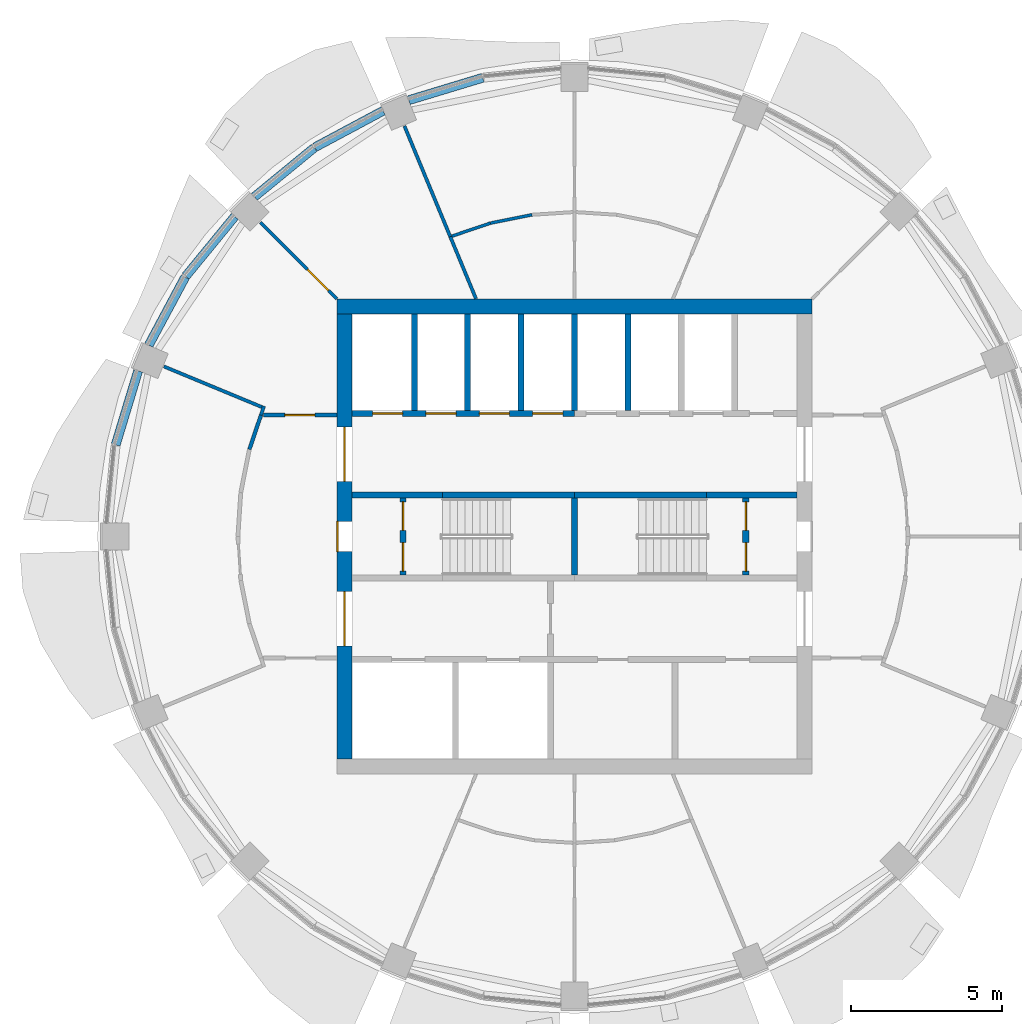
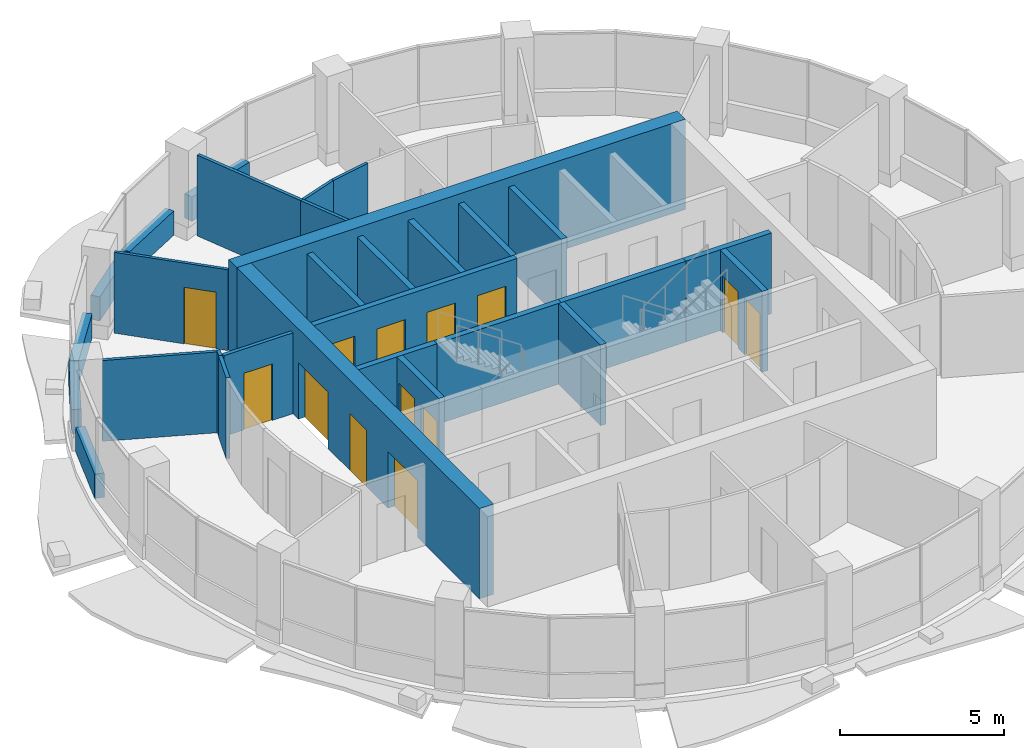
# One storey, part 8 of 14: 30 walls, 13 doors, 13 openings.
"""IFC4 building model written with IfcOpenShell, lengths in metres."""

from ifc_helpers import new_model, si_unit, direction, frame, frame_2d, origin, place, context, subcontext, project, spatial, rectangle, extrude, material, layer, layer_set, type_object, element, fill, save


model = new_model("IFC4")

# Units and contexts
model_context = context("Model", 3, precision=1e-05, world=origin(), true_north=direction((0.0, 1.0)))
body_context = subcontext(model_context, "Body", "Model", "MODEL_VIEW")
ifc_project = project(units=[si_unit("LENGTHUNIT", "METRE"), si_unit("AREAUNIT", "SQUARE_METRE"), si_unit("VOLUMEUNIT", "CUBIC_METRE"), si_unit("PLANEANGLEUNIT", "RADIAN"), si_unit("MASSUNIT", "GRAM", prefix="KILO")], contexts=[model_context])

# Site, building, storey
site_placement = place(None, origin())
site = spatial("IfcSite", under=ifc_project, at=site_placement, CompositionType="ELEMENT")
building_placement = place(site_placement, origin())
building = spatial("IfcBuilding", under=site, at=building_placement, Name="Polderwave Tower", CompositionType="ELEMENT")
storey_placement = place(building_placement, frame((0.0, 0.0, 217.800048828125)))
storey = spatial("IfcBuildingStorey", under=building, at=storey_placement, Name="L59", CompositionType="ELEMENT", Elevation=217.800048828125)

# Wall
ifc_material_1 = material(Name="Concrete C60/75", Category="concrete")
ifc_layer_1 = layer(ifc_material_1, 0.5)
ifc_layer_set_1 = layer_set([ifc_layer_1], Name="CORE WALL 500 C60/75")
wall_type_1 = type_object("IfcWallType", Name="CORE WALL 500 C60/75", PredefinedType="SHEAR", material=ifc_layer_set_1)
wall_1_placement = place(storey_placement, frame((-7.8740234375, 7.6240234375, 0.0), z_axis=(0.0, 0.0, 1.0), x_axis=(1.0, 0.0, 0.0)))
element("IfcWall", 1, at=wall_1_placement, inside=storey, type_object=wall_type_1, Name="ST-CORE-L59-N", PredefinedType="SHEAR", context=body_context, shape_type="SweptSolid", body=[
    extrude(rectangle(XDim=15.748046875, YDim=0.5, at=frame_2d((7.8740234375, 0.0))), origin(), (0.0, 0.0, 1.0), 3.349853515625),
])

# Wall, openings, doors
wall_2_placement = place(storey_placement, frame((-7.6240234375, -7.3740234375, 0.0), z_axis=(0.0, 0.0, 1.0), x_axis=(0.0, 1.0, 0.0)))
wall_2 = element("IfcWall", 2, at=wall_2_placement, inside=storey, type_object=wall_type_1, Name="ST-CORE-L59-W", PredefinedType="SHEAR", context=body_context, shape_type="SweptSolid", body=[
    extrude(rectangle(XDim=14.748046875, YDim=0.5, at=frame_2d((7.3740234375, 0.0))), origin(), (0.0, 0.0, 1.0), 3.349853515625),
])
opening_1_placement = place(wall_2_placement, frame((6.8740234375, 0.0, 0.0)))
opening_1 = element("IfcOpeningElement", 3, at=opening_1_placement, cuts=wall_2, Name="Opening L59-D18", PredefinedType="OPENING", context=body_context, shape_type="SweptSolid", body=[
    extrude(rectangle(XDim=1.0, YDim=2.10009765625, at=frame_2d((0.5, 1.050048828125))), frame((0.0, 0.260009765625, 0.0), z_axis=(0.0, -1.0, 0.0), x_axis=(1.0, 0.0, 0.0)), (0.0, 0.0, 1.0), 0.52001953125),
])
opening_2_placement = place(wall_2_placement, frame((3.74951171875, 0.0, 0.0)))
opening_2 = element("IfcOpeningElement", 4, at=opening_2_placement, cuts=wall_2, Name="Opening L59-D19", PredefinedType="OPENING", context=body_context, shape_type="SweptSolid", body=[
    extrude(rectangle(XDim=1.800048828125, YDim=2.10009765625, at=frame_2d((0.89990234375, 1.050048828125))), frame((0.0, 0.260009765625, 0.0), z_axis=(0.0, -1.0, 0.0), x_axis=(1.0, 0.0, 0.0)), (0.0, 0.0, 1.0), 0.52001953125),
])
opening_3_placement = place(wall_2_placement, frame((9.198486328125, 0.0, 0.0)))
opening_3 = element("IfcOpeningElement", 5, at=opening_3_placement, cuts=wall_2, Name="Opening L59-D20", PredefinedType="OPENING", context=body_context, shape_type="SweptSolid", body=[
    extrude(rectangle(XDim=1.800048828125, YDim=2.10009765625, at=frame_2d((0.89990234375, 1.050048828125))), frame((0.0, 0.260009765625, 0.0), z_axis=(0.0, -1.0, 0.0), x_axis=(1.0, 0.0, 0.0)), (0.0, 0.0, 1.0), 0.52001953125),
])
ifc_material_2 = material(Name="Steel fire door", Category="steel")
door_type_1 = type_object("IfcDoorType", Name="Lobby entry door pair 1800", OperationType="DOUBLE_DOOR_SINGLE_SWING", PredefinedType="DOOR", material=ifc_material_2)
door_1_placement = place(opening_2_placement, origin())
door_1 = element("IfcDoor", 6, at=door_1_placement, inside=storey, type_object=door_type_1, Name="Fire-fighting lobby entry door", OperationType="DOUBLE_DOOR_SINGLE_SWING", OverallHeight=2.10009765625, OverallWidth=1.800048828125, PredefinedType="DOOR", context=body_context, shape_type="SweptSolid", body=[
    extrude(rectangle(XDim=1.800048828125, YDim=2.10009765625, at=frame_2d((0.89990234375, 1.050048828125))), frame((0.0, 0.02490234375, 0.0), z_axis=(0.0, -1.0, 0.0), x_axis=(1.0, 0.0, 0.0)), (0.0, 0.0, 1.0), 0.050048828125),
])
fill(opening_2, door_1)
door_2_placement = place(opening_3_placement, origin())
door_2 = element("IfcDoor", 7, at=door_2_placement, inside=storey, type_object=door_type_1, Name="North lobby entry door", OperationType="DOUBLE_DOOR_SINGLE_SWING", OverallHeight=2.10009765625, OverallWidth=1.800048828125, PredefinedType="DOOR", context=body_context, shape_type="SweptSolid", body=[
    extrude(rectangle(XDim=1.800048828125, YDim=2.10009765625, at=frame_2d((0.89990234375, 1.050048828125))), frame((0.0, 0.02490234375, 0.0), z_axis=(0.0, -1.0, 0.0), x_axis=(1.0, 0.0, 0.0)), (0.0, 0.0, 1.0), 0.050048828125),
])
fill(opening_3, door_2)
door_type_2 = type_object("IfcDoorType", Name="Stair door 1000", OperationType="NOTDEFINED", PredefinedType="DOOR", material=ifc_material_2)
door_3_placement = place(opening_1_placement, origin())
door_3 = element("IfcDoor", 8, at=door_3_placement, inside=storey, type_object=door_type_2, Name="Stair A entry door", OperationType="SINGLE_SWING_RIGHT", OverallHeight=2.10009765625, OverallWidth=1.0, PredefinedType="DOOR", context=body_context, shape_type="SweptSolid", body=[
    extrude(rectangle(XDim=1.0, YDim=2.10009765625, at=frame_2d((0.5, 1.050048828125))), frame((0.0, 0.25, 0.0), z_axis=(0.0, -1.0, 0.0), x_axis=(1.0, 0.0, 0.0)), (0.0, 0.0, 1.0), 0.050048828125),
])
fill(opening_1, door_3)

# Walls
ifc_material_3 = material(Name="Concrete C50/60 (board-marked)", Category="concrete")
ifc_layer_2 = layer(ifc_material_3, 0.300048828125)
ifc_layer_set_2 = layer_set([ifc_layer_2], Name="Concrete spandrel upstand C50/60")
wall_type_2 = type_object("IfcWallType", Name="Concrete spandrel upstand C50/60", PredefinedType="SOLIDWALL", material=ifc_layer_set_2)
wall_3_placement = place(storey_placement, frame((-3.038330078125, 15.197509765625, 0.0), z_axis=(0.0, 0.0, 1.0), x_axis=(-0.956960147557, -0.290219358397, 0.0)))
element("IfcWall", 9, at=wall_3_placement, inside=storey, type_object=wall_type_2, Name="Spandrel L59 5b", PredefinedType="SOLIDWALL", context=body_context, shape_type="SweptSolid", body=[
    extrude(rectangle(XDim=2.557373046875, YDim=0.300048828125, at=frame_2d((1.27880859375, 0.0))), origin(), (0.0, 0.0, 1.0), 0.89990234375),
])
wall_4_placement = place(storey_placement, frame((-6.34326171875, 14.099853515625, 0.0), z_axis=(0.0, 0.0, 1.0), x_axis=(-0.881810499649, -0.471603904468, 0.0)))
element("IfcWall", 10, at=wall_4_placement, inside=storey, type_object=wall_type_2, Name="Spandrel L59 6a", PredefinedType="SOLIDWALL", context=body_context, shape_type="SweptSolid", body=[
    extrude(rectangle(XDim=2.556884765625, YDim=0.300048828125, at=frame_2d((1.2783203125, 0.0))), origin(), (0.0, 0.0, 1.0), 0.89990234375),
])
for number, where, z_axis, x_axis, name in (
    (11, (-8.62255859375, 12.87744140625, 0.0), (0.0, 0.0, 1.0), (-0.773259366149, -0.634089861662, 0.0), "Spandrel L59 6b"),
    (12, (-11.255615234375, 10.600341796875, 0.0), (0.0, 0.0, 1.0), (-0.634089861662, -0.773259366149, 0.0), "Spandrel L59 7a"),
):
    element("IfcWall", number, at=place(storey_placement, frame(where, z_axis=z_axis, x_axis=x_axis)), inside=storey, type_object=wall_type_2, Name=name, PredefinedType="SOLIDWALL", context=body_context, shape_type="SweptSolid", body=[
        extrude(rectangle(XDim=2.5576171875, YDim=0.300048828125, at=frame_2d((1.27880859375, 0.0))), origin(), (0.0, 0.0, 1.0), 0.89990234375),
    ])
wall_5_placement = place(storey_placement, frame((-12.89404296875, 8.597900390625, 0.0), z_axis=(0.0, 0.0, 1.0), x_axis=(-0.471603904468, -0.881810499649, 0.0)))
element("IfcWall", 13, at=wall_5_placement, inside=storey, type_object=wall_type_2, Name="Spandrel L59 7b", PredefinedType="SOLIDWALL", context=body_context, shape_type="SweptSolid", body=[
    extrude(rectangle(XDim=2.556884765625, YDim=0.300048828125, at=frame_2d((1.2783203125, 0.0))), origin(), (0.0, 0.0, 1.0), 0.89990234375),
])
wall_6_placement = place(storey_placement, frame((-14.455322265625, 5.485595703125, 0.0), z_axis=(0.0, 0.0, 1.0), x_axis=(-0.290219358397, -0.956960147557, 0.0)))
element("IfcWall", 14, at=wall_6_placement, inside=storey, type_object=wall_type_2, Name="Spandrel L59 8a", PredefinedType="SOLIDWALL", context=body_context, shape_type="SweptSolid", body=[
    extrude(rectangle(XDim=2.557373046875, YDim=0.300048828125, at=frame_2d((1.27880859375, 0.0))), origin(), (0.0, 0.0, 1.0), 0.89990234375),
])

# Wall, openings, doors
ifc_material_4 = material(Name="Gypsum board partition")
ifc_layer_3 = layer(ifc_material_4, 0.199951171875)
ifc_layer_set_3 = layer_set([ifc_layer_3], Name="Core room partition 200")
wall_type_3 = type_object("IfcWallType", Name="Core room partition 200", PredefinedType="PARTITIONING", material=ifc_layer_set_3)
wall_7_placement = place(storey_placement, frame((-5.674072265625, -1.27490234375, 0.0), z_axis=(0.0, 0.0, 1.0), x_axis=(0.0, 1.0, 0.0)))
wall_7 = element("IfcWall", 15, at=wall_7_placement, inside=storey, type_object=wall_type_3, Name="L59 smoke lobby wall A", PredefinedType="PARTITIONING", context=body_context, shape_type="SweptSolid", body=[
    extrude(rectangle(XDim=2.5498046875, YDim=0.199951171875, at=frame_2d((1.27490234375, 0.0))), origin(), (0.0, 0.0, 1.0), 3.0),
])
opening_4_placement = place(wall_7_placement, frame((0.125, 0.0, 0.0)))
opening_4 = element("IfcOpeningElement", 16, at=opening_4_placement, cuts=wall_7, Name="Opening L59-D10", PredefinedType="OPENING", context=body_context, shape_type="SweptSolid", body=[
    extrude(rectangle(XDim=0.949951171875, YDim=2.10009765625, at=frame_2d((0.47509765625, 1.050048828125))), frame((0.0, 0.10986328125, 0.0), z_axis=(0.0, -1.0, 0.0), x_axis=(1.0, 0.0, 0.0)), (0.0, 0.0, 1.0), 0.219970703125),
])
opening_5_placement = place(wall_7_placement, frame((1.47509765625, 0.0, 0.0)))
opening_5 = element("IfcOpeningElement", 17, at=opening_5_placement, cuts=wall_7, Name="Opening L59-D11", PredefinedType="OPENING", context=body_context, shape_type="SweptSolid", body=[
    extrude(rectangle(XDim=0.949951171875, YDim=2.10009765625, at=frame_2d((0.47509765625, 1.050048828125))), frame((0.0, 0.10986328125, 0.0), z_axis=(0.0, -1.0, 0.0), x_axis=(1.0, 0.0, 0.0)), (0.0, 0.0, 1.0), 0.219970703125),
])
door_type_3 = type_object("IfcDoorType", Name="Smoke lobby door 950", OperationType="NOTDEFINED", PredefinedType="DOOR", material=ifc_material_2)
door_4_placement = place(opening_4_placement, origin())
door_4 = element("IfcDoor", 18, at=door_4_placement, inside=storey, type_object=door_type_3, Name="Stair A smoke lobby inner door", OperationType="SINGLE_SWING_LEFT", OverallHeight=2.10009765625, OverallWidth=0.949951171875, PredefinedType="DOOR", context=body_context, shape_type="SweptSolid", body=[
    extrude(rectangle(XDim=0.949951171875, YDim=2.10009765625, at=frame_2d((0.47509765625, 1.050048828125))), frame((0.0, 0.02490234375, 0.0), z_axis=(0.0, -1.0, 0.0), x_axis=(1.0, 0.0, 0.0)), (0.0, 0.0, 1.0), 0.050048828125),
])
fill(opening_4, door_4)
door_5_placement = place(opening_5_placement, origin())
door_5 = element("IfcDoor", 19, at=door_5_placement, inside=storey, type_object=door_type_3, Name="Stair A smoke lobby inner door", OperationType="SINGLE_SWING_RIGHT", OverallHeight=2.10009765625, OverallWidth=0.949951171875, PredefinedType="DOOR", context=body_context, shape_type="SweptSolid", body=[
    extrude(rectangle(XDim=0.949951171875, YDim=2.10009765625, at=frame_2d((0.47509765625, 1.050048828125))), frame((0.0, 0.02490234375, 0.0), z_axis=(0.0, -1.0, 0.0), x_axis=(1.0, 0.0, 0.0)), (0.0, 0.0, 1.0), 0.050048828125),
])
fill(opening_5, door_5)

wall_8_placement = place(storey_placement, frame((5.674072265625, -1.27490234375, 0.0), z_axis=(0.0, 0.0, 1.0), x_axis=(0.0, 1.0, 0.0)))
wall_8 = element("IfcWall", 20, at=wall_8_placement, inside=storey, type_object=wall_type_3, Name="L59 smoke lobby wall B", PredefinedType="PARTITIONING", context=body_context, shape_type="SweptSolid", body=[
    extrude(rectangle(XDim=2.5498046875, YDim=0.199951171875, at=frame_2d((1.27490234375, 0.0))), origin(), (0.0, 0.0, 1.0), 3.0),
])
opening_6_placement = place(wall_8_placement, frame((0.125, 0.0, 0.0)))
opening_6 = element("IfcOpeningElement", 21, at=opening_6_placement, cuts=wall_8, Name="Opening L59-D12", PredefinedType="OPENING", context=body_context, shape_type="SweptSolid", body=[
    extrude(rectangle(XDim=0.949951171875, YDim=2.10009765625, at=frame_2d((0.47509765625, 1.050048828125))), frame((0.0, 0.10986328125, 0.0), z_axis=(0.0, -1.0, 0.0), x_axis=(1.0, 0.0, 0.0)), (0.0, 0.0, 1.0), 0.219970703125),
])
opening_7_placement = place(wall_8_placement, frame((1.47509765625, 0.0, 0.0)))
opening_7 = element("IfcOpeningElement", 22, at=opening_7_placement, cuts=wall_8, Name="Opening L59-D13", PredefinedType="OPENING", context=body_context, shape_type="SweptSolid", body=[
    extrude(rectangle(XDim=0.949951171875, YDim=2.10009765625, at=frame_2d((0.47509765625, 1.050048828125))), frame((0.0, 0.10986328125, 0.0), z_axis=(0.0, -1.0, 0.0), x_axis=(1.0, 0.0, 0.0)), (0.0, 0.0, 1.0), 0.219970703125),
])
door_6_placement = place(opening_6_placement, frame((0.949951171875, 0.0, 0.0), z_axis=(0.0, 0.0, 1.0), x_axis=(-1.0, 0.0, 0.0)))
door_6 = element("IfcDoor", 23, at=door_6_placement, inside=storey, type_object=door_type_3, Name="Stair B smoke lobby inner door", OperationType="SINGLE_SWING_RIGHT", OverallHeight=2.10009765625, OverallWidth=0.949951171875, PredefinedType="DOOR", context=body_context, shape_type="SweptSolid", body=[
    extrude(rectangle(XDim=0.949951171875, YDim=2.10009765625, at=frame_2d((0.47509765625, 1.050048828125))), frame((0.0, 0.02490234375, 0.0), z_axis=(0.0, -1.0, 0.0), x_axis=(1.0, 0.0, 0.0)), (0.0, 0.0, 1.0), 0.050048828125),
])
fill(opening_6, door_6)
door_7_placement = place(opening_7_placement, frame((0.949951171875, 0.0, 0.0), z_axis=(0.0, 0.0, 1.0), x_axis=(-1.0, 0.0, 0.0)))
door_7 = element("IfcDoor", 24, at=door_7_placement, inside=storey, type_object=door_type_3, Name="Stair B smoke lobby inner door", OperationType="SINGLE_SWING_LEFT", OverallHeight=2.10009765625, OverallWidth=0.949951171875, PredefinedType="DOOR", context=body_context, shape_type="SweptSolid", body=[
    extrude(rectangle(XDim=0.949951171875, YDim=2.10009765625, at=frame_2d((0.47509765625, 1.050048828125))), frame((0.0, 0.02490234375, 0.0), z_axis=(0.0, -1.0, 0.0), x_axis=(1.0, 0.0, 0.0)), (0.0, 0.0, 1.0), 0.050048828125),
])
fill(opening_7, door_7)

ifc_material_5 = material(Name="Concrete C50/60", Category="concrete")
ifc_layer_4 = layer(ifc_material_5, 0.199951171875)
ifc_layer_set_4 = layer_set([ifc_layer_4], Name="Core web wall 200")
wall_type_4 = type_object("IfcWallType", Name="Core web wall 200", PredefinedType="SHEAR", material=ifc_layer_set_4)
wall_9_placement = place(storey_placement, frame((-7.3740234375, 4.073974609375, 0.0), z_axis=(0.0, 0.0, 1.0), x_axis=(1.0, 0.0, 0.0)))
wall_9 = element("IfcWall", 25, at=wall_9_placement, inside=storey, type_object=wall_type_4, Name="L59 north front wall 1", PredefinedType="SHEAR", context=body_context, shape_type="SweptSolid", body=[
    extrude(rectangle(XDim=7.3740234375, YDim=0.199951171875, at=frame_2d((3.68701171875, 0.0))), origin(), (0.0, 0.0, 1.0), 3.0),
])
opening_8_placement = place(wall_9_placement, frame((0.68408203125, 0.0, 0.0)))
opening_8 = element("IfcOpeningElement", 26, at=opening_8_placement, cuts=wall_9, Name="Opening L59-D03", PredefinedType="OPENING", context=body_context, shape_type="SweptSolid", body=[
    extrude(rectangle(XDim=1.0, YDim=2.10009765625, at=frame_2d((0.5, 1.050048828125))), frame((0.0, 0.10986328125, 0.0), z_axis=(0.0, -1.0, 0.0), x_axis=(1.0, 0.0, 0.0)), (0.0, 0.0, 1.0), 0.219970703125),
])
opening_9_placement = place(wall_9_placement, frame((2.45263671875, 0.0, 0.0)))
opening_9 = element("IfcOpeningElement", 27, at=opening_9_placement, cuts=wall_9, Name="Opening L59-D04", PredefinedType="OPENING", context=body_context, shape_type="SweptSolid", body=[
    extrude(rectangle(XDim=1.0, YDim=2.10009765625, at=frame_2d((0.5, 1.050048828125))), frame((0.0, 0.10986328125, 0.0), z_axis=(0.0, -1.0, 0.0), x_axis=(1.0, 0.0, 0.0)), (0.0, 0.0, 1.0), 0.219970703125),
])
opening_10_placement = place(wall_9_placement, frame((4.22119140625, 0.0, 0.0)))
opening_10 = element("IfcOpeningElement", 28, at=opening_10_placement, cuts=wall_9, Name="Opening L59-D05", PredefinedType="OPENING", context=body_context, shape_type="SweptSolid", body=[
    extrude(rectangle(XDim=1.0, YDim=2.10009765625, at=frame_2d((0.5, 1.050048828125))), frame((0.0, 0.10986328125, 0.0), z_axis=(0.0, -1.0, 0.0), x_axis=(1.0, 0.0, 0.0)), (0.0, 0.0, 1.0), 0.219970703125),
])
opening_11_placement = place(wall_9_placement, frame((5.98974609375, 0.0, 0.0)))
opening_11 = element("IfcOpeningElement", 29, at=opening_11_placement, cuts=wall_9, Name="Opening L59-D06", PredefinedType="OPENING", context=body_context, shape_type="SweptSolid", body=[
    extrude(rectangle(XDim=1.0, YDim=2.10009765625, at=frame_2d((0.5, 1.050048828125))), frame((0.0, 0.10986328125, 0.0), z_axis=(0.0, -1.0, 0.0), x_axis=(1.0, 0.0, 0.0)), (0.0, 0.0, 1.0), 0.219970703125),
])
ifc_material_6 = material(Name="Stainless steel", Category="steel")
door_type_4 = type_object("IfcDoorType", Name="Lift landing door 1000", OperationType="DOUBLE_DOOR_SLIDING", PredefinedType="DOOR", material=ifc_material_6)
door_8_placement = place(opening_8_placement, frame((1.0, 0.0, 0.0), z_axis=(0.0, 0.0, 1.0), x_axis=(-1.0, 0.0, 0.0)))
door_8 = element("IfcDoor", 30, at=door_8_placement, inside=storey, type_object=door_type_4, Name="Lift HL1 landing door", OperationType="DOUBLE_DOOR_SLIDING", OverallHeight=2.10009765625, OverallWidth=1.0, PredefinedType="DOOR", context=body_context, shape_type="SweptSolid", body=[
    extrude(rectangle(XDim=1.0, YDim=2.10009765625, at=frame_2d((0.5, 1.050048828125))), frame((0.0, 0.02490234375, 0.0), z_axis=(0.0, -1.0, 0.0), x_axis=(1.0, 0.0, 0.0)), (0.0, 0.0, 1.0), 0.050048828125),
])
fill(opening_8, door_8)
door_9_placement = place(opening_9_placement, frame((1.0, 0.0, 0.0), z_axis=(0.0, 0.0, 1.0), x_axis=(-1.0, 0.0, 0.0)))
door_9 = element("IfcDoor", 31, at=door_9_placement, inside=storey, type_object=door_type_4, Name="Lift HL2 landing door", OperationType="DOUBLE_DOOR_SLIDING", OverallHeight=2.10009765625, OverallWidth=1.0, PredefinedType="DOOR", context=body_context, shape_type="SweptSolid", body=[
    extrude(rectangle(XDim=1.0, YDim=2.10009765625, at=frame_2d((0.5, 1.050048828125))), frame((0.0, 0.02490234375, 0.0), z_axis=(0.0, -1.0, 0.0), x_axis=(1.0, 0.0, 0.0)), (0.0, 0.0, 1.0), 0.050048828125),
])
fill(opening_9, door_9)
door_10_placement = place(opening_10_placement, frame((1.0, 0.0, 0.0), z_axis=(0.0, 0.0, 1.0), x_axis=(-1.0, 0.0, 0.0)))
door_10 = element("IfcDoor", 32, at=door_10_placement, inside=storey, type_object=door_type_4, Name="Lift HL3 landing door", OperationType="DOUBLE_DOOR_SLIDING", OverallHeight=2.10009765625, OverallWidth=1.0, PredefinedType="DOOR", context=body_context, shape_type="SweptSolid", body=[
    extrude(rectangle(XDim=1.0, YDim=2.10009765625, at=frame_2d((0.5, 1.050048828125))), frame((0.0, 0.02490234375, 0.0), z_axis=(0.0, -1.0, 0.0), x_axis=(1.0, 0.0, 0.0)), (0.0, 0.0, 1.0), 0.050048828125),
])
fill(opening_10, door_10)
door_11_placement = place(opening_11_placement, frame((1.0, 0.0, 0.0), z_axis=(0.0, 0.0, 1.0), x_axis=(-1.0, 0.0, 0.0)))
door_11 = element("IfcDoor", 33, at=door_11_placement, inside=storey, type_object=door_type_4, Name="Lift HL4 landing door", OperationType="DOUBLE_DOOR_SLIDING", OverallHeight=2.10009765625, OverallWidth=1.0, PredefinedType="DOOR", context=body_context, shape_type="SweptSolid", body=[
    extrude(rectangle(XDim=1.0, YDim=2.10009765625, at=frame_2d((0.5, 1.050048828125))), frame((0.0, 0.02490234375, 0.0), z_axis=(0.0, -1.0, 0.0), x_axis=(1.0, 0.0, 0.0)), (0.0, 0.0, 1.0), 0.050048828125),
])
fill(opening_11, door_11)

# Walls
wall_10_placement = place(storey_placement, frame((-7.3740234375, 1.375, 0.0), z_axis=(0.0, 0.0, 1.0), x_axis=(1.0, 0.0, 0.0)))
element("IfcWall", 34, at=wall_10_placement, inside=storey, type_object=wall_type_4, Name="L59 north stair wall 1", PredefinedType="SHEAR", context=body_context, shape_type="SweptSolid", body=[
    extrude(rectangle(XDim=3.0, YDim=0.199951171875, at=frame_2d((1.5, 0.0))), origin(), (0.0, 0.0, 1.0), 3.0),
])
for number, where, z_axis, x_axis, name in (
    (35, (-4.3740234375, 1.375, 0.0), (0.0, 0.0, 1.0), (1.0, 0.0, 0.0), "L59 north stair wall 2"),
    (36, (0.0, 1.375, 0.0), (0.0, 0.0, 1.0), (1.0, 0.0, 0.0), "L59 north stair wall 3"),
):
    element("IfcWall", number, at=place(storey_placement, frame(where, z_axis=z_axis, x_axis=x_axis)), inside=storey, type_object=wall_type_4, Name=name, PredefinedType="SHEAR", context=body_context, shape_type="SweptSolid", body=[
        extrude(rectangle(XDim=4.3740234375, YDim=0.199951171875, at=frame_2d((2.18701171875, 0.0))), origin(), (0.0, 0.0, 1.0), 3.0),
    ])
wall_11_placement = place(storey_placement, frame((4.3740234375, 1.375, 0.0), z_axis=(0.0, 0.0, 1.0), x_axis=(1.0, 0.0, 0.0)))
element("IfcWall", 37, at=wall_11_placement, inside=storey, type_object=wall_type_4, Name="L59 north stair wall 4", PredefinedType="SHEAR", context=body_context, shape_type="SweptSolid", body=[
    extrude(rectangle(XDim=3.0, YDim=0.199951171875, at=frame_2d((1.5, 0.0))), origin(), (0.0, 0.0, 1.0), 3.0),
])
wall_12_placement = place(storey_placement, frame((0.0, -1.27490234375, 0.0), z_axis=(0.0, 0.0, 1.0), x_axis=(0.0, 1.0, 0.0)))
element("IfcWall", 38, at=wall_12_placement, inside=storey, type_object=wall_type_4, Name="L59 wall between the stairs", PredefinedType="SHEAR", context=body_context, shape_type="SweptSolid", body=[
    extrude(rectangle(XDim=2.5498046875, YDim=0.199951171875, at=frame_2d((1.27490234375, 0.0))), origin(), (0.0, 0.0, 1.0), 3.0),
])

# Wall, opening, door
ifc_material_7 = material(Name="Fire-resisting board on steel studs", Category="steel")
ifc_layer_5 = layer(ifc_material_7, 0.125)
ifc_layer_set_5 = layer_set([ifc_layer_5], Name="Corridor wall 125 mm EI 60")
wall_type_5 = type_object("IfcWallType", Name="Corridor wall 125 mm EI 60", PredefinedType="PARTITIONING", material=ifc_layer_set_5)
wall_13_placement = place(storey_placement, frame((-10.29638671875, 4.0244140625, 0.0), z_axis=(0.0, 0.0, 1.0), x_axis=(1.0, 0.0, 0.0)))
wall_13 = element("IfcWall", 39, at=wall_13_placement, inside=storey, type_object=wall_type_5, Name="IN-L59-W009", PredefinedType="PARTITIONING", context=body_context, shape_type="SweptSolid", body=[
    extrude(rectangle(XDim=2.42236328125, YDim=0.125, at=frame_2d((1.211181640625, 0.0))), origin(), (0.0, 0.0, 1.0), 3.0),
])
opening_12_placement = place(wall_13_placement, frame((0.699951171875, 0.0, 0.0)))
opening_12 = element("IfcOpeningElement", 40, at=opening_12_placement, cuts=wall_13, Name="Opening L59-D54", PredefinedType="OPENING", context=body_context, shape_type="SweptSolid", body=[
    extrude(rectangle(XDim=1.0, YDim=2.10009765625, at=frame_2d((0.5, 1.050048828125))), frame((0.0, 0.072509765625, 0.0), z_axis=(0.0, -1.0, 0.0), x_axis=(1.0, 0.0, 0.0)), (0.0, 0.0, 1.0), 0.14501953125),
])
ifc_material_8 = material(Name="Timber fire door leaf", Category="wood")
door_type_5 = type_object("IfcDoorType", Name="Fire door FD30S 1000 x 2100", OperationType="NOTDEFINED", PredefinedType="DOOR", material=ifc_material_8)
door_12_placement = place(opening_12_placement, origin())
door_12 = element("IfcDoor", 41, at=door_12_placement, inside=storey, type_object=door_type_5, Name="Door L59-D54", OperationType="SINGLE_SWING_LEFT", OverallHeight=2.10009765625, OverallWidth=1.0, PredefinedType="DOOR", context=body_context, shape_type="SweptSolid", body=[
    extrude(rectangle(XDim=1.0, YDim=2.10009765625, at=frame_2d((0.5, 1.050048828125))), frame((0.0, 0.02490234375, 0.0), z_axis=(0.0, -1.0, 0.0), x_axis=(1.0, 0.0, 0.0)), (0.0, 0.0, 1.0), 0.050048828125),
])
fill(opening_12, door_12)

# Walls
wall_14_placement = place(storey_placement, frame((-10.768798828125, 2.8896484375, 0.0), z_axis=(0.0, 0.0, 1.0), x_axis=(0.321479033524, 0.946916696972, 0.0)))
element("IfcWall", 42, at=wall_14_placement, inside=storey, type_object=wall_type_5, Name="IN-L59-W014", PredefinedType="PARTITIONING", context=body_context, shape_type="SweptSolid", body=[
    extrude(rectangle(XDim=1.198486328125, YDim=0.125, at=frame_2d((0.59912109375, 0.0))), origin(), (0.0, 0.0, 1.0), 3.0),
])
ifc_material_9 = material(Name="Plasterboard on steel studs", Category="steel")
ifc_layer_6 = layer(ifc_material_9, 0.10009765625)
ifc_layer_set_6 = layer_set([ifc_layer_6], Name="Partition 100 mm plasterboard on steel studs")
wall_type_6 = type_object("IfcWallType", Name="Partition 100 mm plasterboard on steel studs", PredefinedType="PARTITIONING", material=ifc_layer_set_6)
wall_15_placement = place(storey_placement, frame((-4.05859375, 9.950439453125, 0.0), z_axis=(0.0, 0.0, 1.0), x_axis=(0.946944164887, 0.321398115407, 0.0)))
element("IfcWall", 43, at=wall_15_placement, inside=storey, type_object=wall_type_6, Name="IN-L59-W028", PredefinedType="PARTITIONING", context=body_context, shape_type="SweptSolid", body=[
    extrude(rectangle(XDim=1.344482421875, YDim=0.10009765625, at=frame_2d((0.67236328125, 0.0))), origin(), (0.0, 0.0, 1.0), 3.0),
])
wall_16_placement = place(storey_placement, frame((-2.779052734375, 10.38427734375, 0.0), z_axis=(0.0, 0.0, 1.0), x_axis=(0.980761417594, 0.19521025014, 0.0)))
element("IfcWall", 44, at=wall_16_placement, inside=storey, type_object=wall_type_6, Name="IN-L59-W029", PredefinedType="PARTITIONING", context=body_context, shape_type="SweptSolid", body=[
    extrude(rectangle(XDim=1.3994140625, YDim=0.10009765625, at=frame_2d((0.69970703125, 0.0))), origin(), (0.0, 0.0, 1.0), 3.0),
])

# Wall, opening, door
wall_17_placement = place(storey_placement, frame((-10.40869140625, 10.40869140625, 0.0), z_axis=(0.0, 0.0, 1.0), x_axis=(0.707106781187, -0.707106781187, 0.0)))
wall_17 = element("IfcWall", 45, at=wall_17_placement, inside=storey, type_object=wall_type_6, Name="IN-L59-W033", PredefinedType="PARTITIONING", context=body_context, shape_type="SweptSolid", body=[
    extrude(rectangle(XDim=3.58447265625, YDim=0.10009765625, at=frame_2d((1.792236328125, 0.0))), origin(), (0.0, 0.0, 1.0), 3.0),
])
opening_13_placement = place(wall_17_placement, frame((2.199951171875, 0.0, 0.0)))
opening_13 = element("IfcOpeningElement", 46, at=opening_13_placement, cuts=wall_17, Name="Opening L59-D62", PredefinedType="OPENING", context=body_context, shape_type="SweptSolid", body=[
    extrude(rectangle(XDim=1.0, YDim=2.10009765625, at=frame_2d((0.5, 1.050048828125))), frame((0.0, 0.06005859375, 0.0), z_axis=(0.0, -1.0, 0.0), x_axis=(1.0, 0.0, 0.0)), (0.0, 0.0, 1.0), 0.1201171875),
])
ifc_material_10 = material(Name="Timber veneer door leaf", Category="wood")
door_type_6 = type_object("IfcDoorType", Name="Single door 1000 x 2100", OperationType="NOTDEFINED", PredefinedType="DOOR", material=ifc_material_10)
door_13_placement = place(opening_13_placement, origin())
door_13 = element("IfcDoor", 47, at=door_13_placement, inside=storey, type_object=door_type_6, Name="Door L59-D62", OperationType="SINGLE_SWING_RIGHT", OverallHeight=2.10009765625, OverallWidth=1.0, PredefinedType="DOOR", context=body_context, shape_type="SweptSolid", body=[
    extrude(rectangle(XDim=1.0, YDim=2.10009765625, at=frame_2d((0.5, 1.050048828125))), frame((0.0, 0.02490234375, 0.0), z_axis=(0.0, -1.0, 0.0), x_axis=(1.0, 0.0, 0.0)), (0.0, 0.0, 1.0), 0.050048828125),
])
fill(opening_13, door_13)

# Walls
ifc_material_11 = material(Name="Acoustic double plasterboard on steel studs", Category="steel")
ifc_layer_7 = layer(ifc_material_11, 0.110107421875)
ifc_layer_set_7 = layer_set([ifc_layer_7], Name="Partition 110 mm acoustic double board")
wall_type_7 = type_object("IfcWallType", Name="Partition 110 mm acoustic double board", PredefinedType="PARTITIONING", material=ifc_layer_set_7)
wall_18_placement = place(storey_placement, frame((-3.261474609375, 7.8740234375, 0.0), z_axis=(0.0, 0.0, 1.0), x_axis=(-0.382684189911, 0.923879218725, 0.0)))
element("IfcWall", 48, at=wall_18_placement, inside=storey, type_object=wall_type_7, Name="IN-L59-W031", PredefinedType="PARTITIONING", context=body_context, shape_type="SweptSolid", body=[
    extrude(rectangle(XDim=2.22705078125, YDim=0.110107421875, at=frame_2d((1.113525390625, 0.0))), origin(), (0.0, 0.0, 1.0), 3.0),
])
wall_19_placement = place(storey_placement, frame((-4.11376953125, 9.931640625, 0.0), z_axis=(0.0, 0.0, 1.0), x_axis=(-0.382675844596, 0.923882675432, 0.0)))
element("IfcWall", 49, at=wall_19_placement, inside=storey, type_object=wall_type_7, Name="IN-L59-W032", PredefinedType="PARTITIONING", context=body_context, shape_type="SweptSolid", body=[
    extrude(rectangle(XDim=3.97021484375, YDim=0.110107421875, at=frame_2d((1.985107421875, 0.0))), origin(), (0.0, 0.0, 1.0), 3.0),
])
wall_20_placement = place(storey_placement, frame((-10.383544921875, 4.0244140625, 0.0), z_axis=(0.0, 0.0, 1.0), x_axis=(0.320931919594, 0.947102266382, 0.0)))
element("IfcWall", 50, at=wall_20_placement, inside=storey, type_object=wall_type_7, Name="IN-L59-W034", PredefinedType="PARTITIONING", context=body_context, shape_type="SweptSolid", body=[
    extrude(rectangle(XDim=0.31103515625, YDim=0.110107421875, at=frame_2d((0.155517578125, 0.0))), origin(), (0.0, 0.0, 1.0), 3.0),
])
wall_21_placement = place(storey_placement, frame((-10.355712890625, 4.289306640625, 0.0), z_axis=(0.0, 0.0, 1.0), x_axis=(-0.923871065891, 0.382703871955, 0.0)))
element("IfcWall", 51, at=wall_21_placement, inside=storey, type_object=wall_type_7, Name="IN-L59-W035", PredefinedType="PARTITIONING", context=body_context, shape_type="SweptSolid", body=[
    extrude(rectangle(XDim=3.51123046875, YDim=0.110107421875, at=frame_2d((1.755615234375, 0.0))), origin(), (0.0, 0.0, 1.0), 3.0),
])
ifc_material_12 = material(Name="Gypsum shaft wall system")
ifc_layer_8 = layer(ifc_material_12, 0.199951171875)
ifc_layer_set_8 = layer_set([ifc_layer_8], Name="Shaft wall 200")
wall_type_8 = type_object("IfcWallType", Name="Shaft wall 200", PredefinedType="PARTITIONING", material=ifc_layer_set_8)
for number, where, z_axis, x_axis, name in (
    (52, (-5.305419921875, 4.174072265625, 0.0), (0.0, 0.0, 1.0), (0.0, 1.0, 0.0), "L59 lift shaft wall N1"),
    (53, (-3.537109375, 4.174072265625, 0.0), (0.0, 0.0, 1.0), (0.0, 1.0, 0.0), "L59 lift shaft wall N2"),
    (54, (-1.7685546875, 4.174072265625, 0.0), (0.0, 0.0, 1.0), (0.0, 1.0, 0.0), "L59 lift shaft wall N3"),
    (55, (0.0, 4.174072265625, 0.0), (0.0, 0.0, 1.0), (0.0, 1.0, 0.0), "L59 lift shaft wall N4"),
    (56, (1.7685546875, 4.174072265625, 0.0), (0.0, 0.0, 1.0), (0.0, 1.0, 0.0), "L59 lift shaft wall N5"),
):
    element("IfcWall", number, at=place(storey_placement, frame(where, z_axis=z_axis, x_axis=x_axis)), inside=storey, type_object=wall_type_8, Name=name, PredefinedType="PARTITIONING", context=body_context, shape_type="SweptSolid", body=[
        extrude(rectangle(XDim=3.199951171875, YDim=0.199951171875, at=frame_2d((1.60009765625, 0.0))), origin(), (0.0, 0.0, 1.0), 3.0),
    ])

save(model, "model.ifc")
